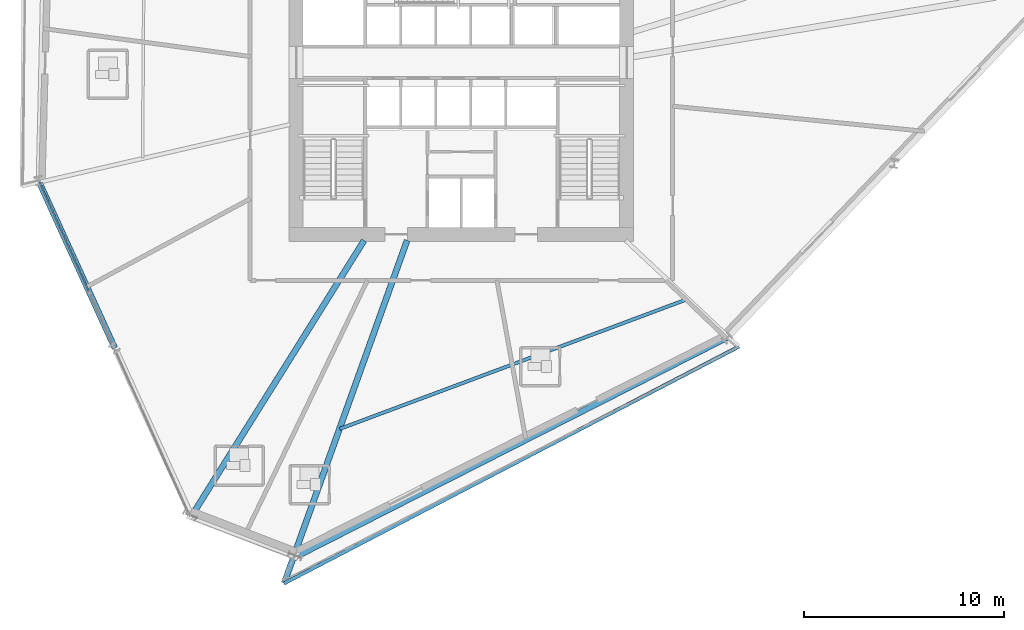
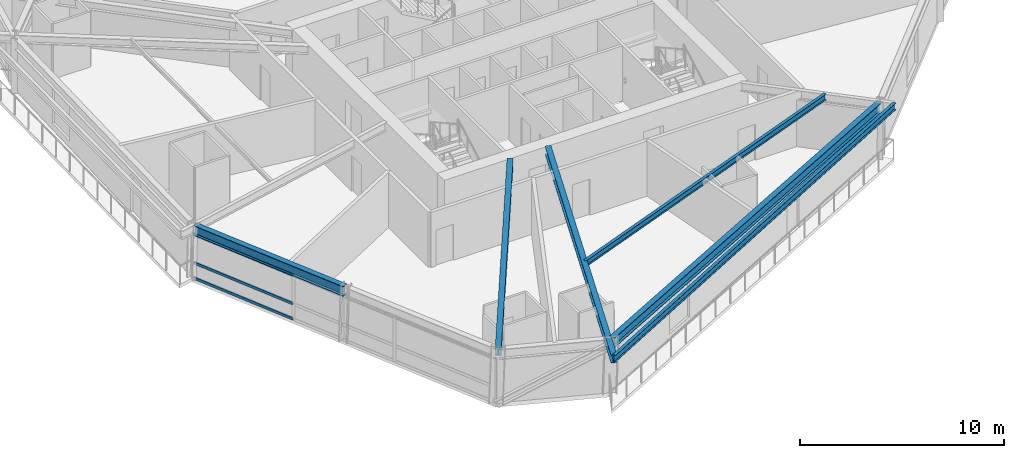
# One storey, part 3 of 22: 6 beams, 3 members, 1 element without a shape of its own.
"""IFC4 building model written with IfcOpenShell, lengths in metres."""

from ifc_helpers import new_model, si_unit, direction, frame, origin, origin_2d, place, context, subcontext, project, spatial, hollow_rectangle, i_section, extrude, source, transform, mapped, material, material_profile, profile_set, type_object, element, aggregate, save


model = new_model("IFC4")

# Units and contexts
model_context = context("Model", 3, precision=1e-05, world=origin(), true_north=direction((0.0, 1.0)))
body_context = subcontext(model_context, "Body", "Model", "MODEL_VIEW")
ifc_project = project(units=[si_unit("LENGTHUNIT", "METRE"), si_unit("AREAUNIT", "SQUARE_METRE"), si_unit("VOLUMEUNIT", "CUBIC_METRE"), si_unit("PLANEANGLEUNIT", "RADIAN"), si_unit("MASSUNIT", "GRAM", prefix="KILO")], contexts=[model_context])

# Site, building, storey
site_placement = place(None, origin())
site = spatial("IfcSite", under=ifc_project, at=site_placement, CompositionType="ELEMENT")
building_placement = place(site_placement, origin())
building = spatial("IfcBuilding", under=site, at=building_placement, Name="Olszyna Solenne Hotel", CompositionType="ELEMENT")
storey_placement = place(building_placement, frame((0.0, 0.0, 87.949951171875)))
storey = spatial("IfcBuildingStorey", under=building, at=storey_placement, Name="L22", CompositionType="ELEMENT", Elevation=87.949951171875)

# Beams
ifc_material_1 = material(Name="Steel S355J2", Category="steel")
ifc_material_profile_1 = material_profile(ifc_material_1, i_section(OverallWidth=0.300048828125, OverallDepth=0.60009765625, WebThickness=0.015380859375, FlangeThickness=0.030029296875, at=origin_2d()), Name="HEB 600", Category="load-bearing")
ifc_profile_set_1 = profile_set([ifc_material_profile_1], Name="Steel S355J2")
beam_type_1 = type_object("IfcBeamType", Name="BM-S2", PredefinedType="BEAM", material=ifc_profile_set_1)
shared_shape_1 = source(origin(), body_context, "Body", "SweptSolid", [
    extrude(i_section(OverallWidth=0.300048828125, OverallDepth=0.60009765625, WebThickness=0.015380859375, FlangeThickness=0.030029296875, at=origin_2d()), origin(), (0.0, 0.0, 1.0), 24.030517578125),
])
beam_1_placement = place(storey_placement, frame((29.828369140625, 3.1015625, 3.0), z_axis=(0.89147590187, 0.45306811451, 0.0), x_axis=(-0.45306811451, 0.89147590187, 0.0)))
element("IfcBeam", 1, at=beam_1_placement, inside=storey, type_object=beam_type_1, Name="Perimeter spandrel beam BM-S2 B-L22-0671", PredefinedType="BEAM", context=body_context, shape_type="MappedRepresentation", body=[
    mapped(shared_shape_1, transform((0.0, 0.0, 0.0), x_axis=(1.0, 0.0, 0.0), y_axis=(0.0, 1.0, 0.0), z_axis=(0.0, 0.0, 1.0), scale=1.0)),
])
ifc_material_profile_2 = material_profile(ifc_material_1, i_section(OverallWidth=0.179931640625, OverallDepth=0.39990234375, WebThickness=0.008544921875, FlangeThickness=0.013427734375, at=origin_2d()), Name="IPE 400", Category="load-bearing")
ifc_profile_set_2 = profile_set([ifc_material_profile_2], Name="Steel S355J2")
beam_type_2 = type_object("IfcBeamType", Name="BM-F5", PredefinedType="BEAM", material=ifc_profile_set_2)
shared_shape_2 = source(origin(), body_context, "Body", "SweptSolid", [
    extrude(i_section(OverallWidth=0.179931640625, OverallDepth=0.39990234375, WebThickness=0.008544921875, FlangeThickness=0.013427734375, at=origin_2d()), origin(), (0.0, 0.0, 1.0), 25.604736328125),
])
beam_2_placement = place(storey_placement, frame((29.14404296875, 1.72119140625, 3.10009765625), z_axis=(0.887010017015, 0.461750181066, 0.0), x_axis=(-0.461750181066, 0.887010017015, 0.0)))
element("IfcBeam", 2, at=beam_2_placement, inside=storey, type_object=beam_type_2, Name="Loggia outer edge beam BM-F5 B-L22-0690", PredefinedType="BEAM", context=body_context, shape_type="MappedRepresentation", body=[
    mapped(shared_shape_2, transform((0.0, 0.0, 0.0), x_axis=(1.0, 0.0, 0.0), y_axis=(0.0, 1.0, 0.0), z_axis=(0.0, 0.0, 1.0), scale=1.0)),
])
shared_shape_3 = source(origin(), body_context, "Body", "SweptSolid", [
    extrude(i_section(OverallWidth=0.300048828125, OverallDepth=0.60009765625, WebThickness=0.015380859375, FlangeThickness=0.030029296875, at=origin_2d()), origin(), (0.0, 0.0, 1.0), 9.04345703125),
])
beam_3_placement = place(storey_placement, frame((16.944580078125, 21.69580078125, 3.0), z_axis=(0.414831884286, -0.90989807549, 0.0), x_axis=(0.90989807549, 0.414831884286, 0.0)))
element("IfcBeam", 3, at=beam_3_placement, inside=storey, type_object=beam_type_1, Name="Perimeter spandrel beam BM-S2 B-L22-0668", PredefinedType="BEAM", context=body_context, shape_type="MappedRepresentation", body=[
    mapped(shared_shape_3, transform((0.0, 0.0, 0.0), x_axis=(1.0, 0.0, 0.0), y_axis=(0.0, 1.0, 0.0), z_axis=(0.0, 0.0, 1.0), scale=1.0)),
])
ifc_material_profile_3 = material_profile(ifc_material_1, i_section(OverallWidth=0.300048828125, OverallDepth=0.489990234375, WebThickness=0.011962890625, FlangeThickness=0.02294921875, at=origin_2d()), Name="HEA 500", Category="load-bearing")
ifc_profile_set_3 = profile_set([ifc_material_profile_3], Name="Steel S355J2")
beam_type_3 = type_object("IfcBeamType", Name="BM-G1", PredefinedType="BEAM", material=ifc_profile_set_3)
shared_shape_4 = source(origin(), body_context, "Body", "SweptSolid", [
    extrude(i_section(OverallWidth=0.300048828125, OverallDepth=0.489990234375, WebThickness=0.011962890625, FlangeThickness=0.02294921875, at=origin_2d()), origin(), (0.0, 0.0, 1.0), 16.18359375),
])
beam_4_placement = place(storey_placement, frame((24.553955078125, 5.125732421875, 3.054931640625), z_axis=(0.530699820151, 0.84755985092, 0.0), x_axis=(-0.84755985092, 0.530699820151, 0.0)))
element("IfcBeam", 4, at=beam_4_placement, inside=storey, type_object=beam_type_3, Name="Radial floor girder BM-G1 B-L22-0680", PredefinedType="BEAM", context=body_context, shape_type="MappedRepresentation", body=[
    mapped(shared_shape_4, transform((0.0, 0.0, 0.0), x_axis=(1.0, 0.0, 0.0), y_axis=(0.0, 1.0, 0.0), z_axis=(0.0, 0.0, 1.0), scale=1.0)),
])
shared_shape_5 = source(origin(), body_context, "Body", "SweptSolid", [
    extrude(i_section(OverallWidth=0.300048828125, OverallDepth=0.489990234375, WebThickness=0.011962890625, FlangeThickness=0.02294921875, at=origin_2d()), origin(), (0.0, 0.0, 1.0), 18.175048828125),
])
beam_5_placement = place(storey_placement, frame((29.15087890625, 1.739990234375, 3.054931640625), z_axis=(0.337737519625, 0.941240334791, 0.0), x_axis=(-0.941240334791, 0.337737519625, 0.0)))
element("IfcBeam", 5, at=beam_5_placement, inside=storey, type_object=beam_type_3, Name="Radial floor girder BM-G1 B-L22-0681", PredefinedType="BEAM", context=body_context, shape_type="MappedRepresentation", body=[
    mapped(shared_shape_5, transform((0.0, 0.0, 0.0), x_axis=(1.0, 0.0, 0.0), y_axis=(0.0, 1.0, 0.0), z_axis=(0.0, 0.0, 1.0), scale=1.0)),
])
ifc_material_profile_4 = material_profile(ifc_material_1, i_section(OverallWidth=0.169921875, OverallDepth=0.360107421875, WebThickness=0.008056640625, FlangeThickness=0.0126953125, at=origin_2d()), Name="IPE 360", Category="load-bearing")
ifc_profile_set_4 = profile_set([ifc_material_profile_4], Name="Steel S355J2")
beam_type_4 = type_object("IfcBeamType", Name="JS-01", PredefinedType="JOIST", material=ifc_profile_set_4)
shared_shape_6 = source(origin(), body_context, "Body", "SweptSolid", [
    extrude(i_section(OverallWidth=0.169921875, OverallDepth=0.360107421875, WebThickness=0.008056640625, FlangeThickness=0.0126953125, at=origin_2d()), origin(), (0.0, 0.0, 1.0), 18.5390625),
])
beam_6_placement = place(storey_placement, frame((31.927978515625, 9.434814453125, 3.1201171875), z_axis=(0.936866021607, 0.349688515051, 0.0), x_axis=(-0.349688515051, 0.936866021607, 0.0)))
element("IfcBeam", 6, at=beam_6_placement, inside=storey, type_object=beam_type_4, Name="Secondary composite floor joist JS-01 B-L22-0687", PredefinedType="JOIST", context=body_context, shape_type="MappedRepresentation", body=[
    mapped(shared_shape_6, transform((0.0, 0.0, 0.0), x_axis=(1.0, 0.0, 0.0), y_axis=(0.0, 1.0, 0.0), z_axis=(0.0, 0.0, 1.0), scale=1.0)),
])

# Curtain wall, members
ifc_material_2 = material(Name="Anodised bronze aluminium", Category="aluminium")
curtain_wall_type = type_object("IfcCurtainWallType", Name="CW-SYS-3", PredefinedType="NOTDEFINED", material=ifc_material_2)
curtain_wall_placement = place(storey_placement, origin())
curtain_wall = element("IfcCurtainWall", 7, at=curtain_wall_placement, inside=storey, type_object=curtain_wall_type, Name="Unitised curtain wall CW-SYS-3 CW-L22-01", PredefinedType="NOTDEFINED")
ifc_material_profile_5 = material_profile(ifc_material_2, hollow_rectangle(XDim=0.074951171875, YDim=0.159912109375, WallThickness=0.00390625, at=origin_2d()), Name="TRAN 160x75x4", Category="load-bearing")
ifc_profile_set_5 = profile_set([ifc_material_profile_5], Name="Anodised bronze aluminium")
member_type = type_object("IfcMemberType", Name="CW-T1", PredefinedType="USERDEFINED", material=ifc_profile_set_5)
shared_shape_7 = source(origin(), body_context, "Body", "SweptSolid", [
    extrude(hollow_rectangle(XDim=0.074951171875, YDim=0.159912109375, WallThickness=0.00390625, at=origin_2d()), origin(), (0.0, 0.0, 1.0), 5.996337890625),
])
member_1_placement = place(storey_placement, frame((16.9296875, 21.774169921875, 0.03759765625), z_axis=(0.410858957685, -0.911698917895, 0.0), x_axis=(0.911698917895, 0.410858957685, 0.0)))
member_1 = element("IfcMember", 8, at=member_1_placement, type_object=member_type, Name="Curtain-wall transom CW-T1 CT-L22-01-01", ObjectType="TRANSOM", PredefinedType="USERDEFINED", context=body_context, shape_type="MappedRepresentation", body=[
    mapped(shared_shape_7, transform((0.0, 0.0, 0.0), x_axis=(1.0, 0.0, 0.0), y_axis=(0.0, 1.0, 0.0), z_axis=(0.0, 0.0, 1.0), scale=1.0)),
])
member_2_placement = place(storey_placement, frame((16.9296875, 21.774169921875, 0.949951171875), z_axis=(0.410858957685, -0.911698917895, 0.0), x_axis=(0.911698917895, 0.410858957685, 0.0)))
member_2 = element("IfcMember", 9, at=member_2_placement, type_object=member_type, Name="Curtain-wall transom CW-T1 CT-L22-01-02", ObjectType="TRANSOM", PredefinedType="USERDEFINED", context=body_context, shape_type="MappedRepresentation", body=[
    mapped(shared_shape_7, transform((0.0, 0.0, 0.0), x_axis=(1.0, 0.0, 0.0), y_axis=(0.0, 1.0, 0.0), z_axis=(0.0, 0.0, 1.0), scale=1.0)),
])
member_3_placement = place(storey_placement, frame((16.9296875, 21.774169921875, 2.654541015625), z_axis=(0.410858957685, -0.911698917895, 0.0), x_axis=(0.911698917895, 0.410858957685, 0.0)))
member_3 = element("IfcMember", 10, at=member_3_placement, type_object=member_type, Name="Curtain-wall transom CW-T1 CT-L22-01-03", ObjectType="TRANSOM", PredefinedType="USERDEFINED", context=body_context, shape_type="MappedRepresentation", body=[
    mapped(shared_shape_7, transform((0.0, 0.0, 0.0), x_axis=(1.0, 0.0, 0.0), y_axis=(0.0, 1.0, 0.0), z_axis=(0.0, 0.0, 1.0), scale=1.0)),
])
aggregate(curtain_wall, [member_1, member_2, member_3])

save(model, "model.ifc")
